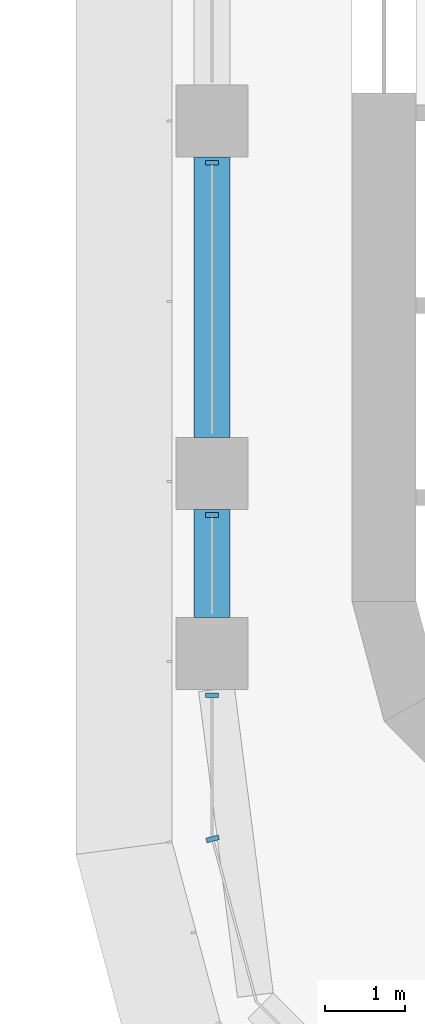
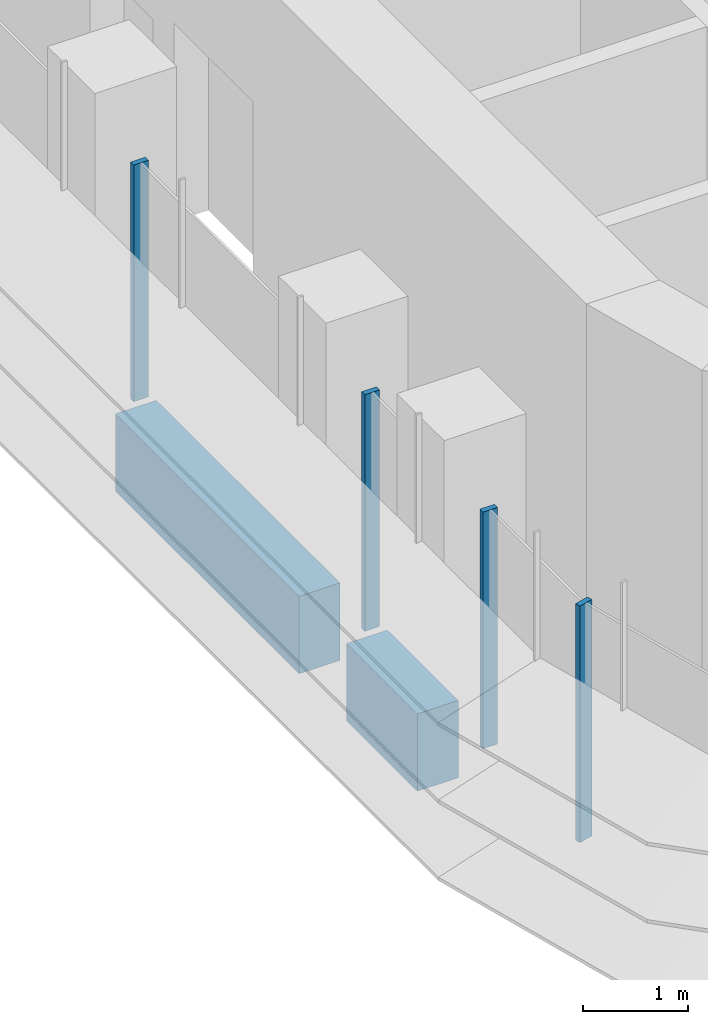
# One storey, part 2 of 22: 4 members, 2 beams, 2 elements without a shape of their own.
"""IFC4 building model written with IfcOpenShell, lengths in metres."""

from ifc_helpers import new_model, si_unit, direction, frame, origin, origin_2d, place, context, subcontext, project, spatial, polyline, rectangle, outline, extrude, source, transform, mapped, material, material_profile, profile_set, type_object, element, aggregate, save


model = new_model("IFC4")

# Units and contexts
model_context = context("Model", 3, precision=1e-05, world=origin(), true_north=direction((0.0, 1.0)))
body_context = subcontext(model_context, "Body", "Model", "MODEL_VIEW")
ifc_project = project(units=[si_unit("LENGTHUNIT", "METRE"), si_unit("AREAUNIT", "SQUARE_METRE"), si_unit("VOLUMEUNIT", "CUBIC_METRE"), si_unit("PLANEANGLEUNIT", "RADIAN"), si_unit("MASSUNIT", "GRAM", prefix="KILO")], contexts=[model_context])

# Site, building, storey
site_placement = place(None, origin())
site = spatial("IfcSite", under=ifc_project, at=site_placement, CompositionType="ELEMENT")
building_placement = place(site_placement, origin())
building = spatial("IfcBuilding", under=site, at=building_placement, Name="Zarbagh Exchange Tower", CompositionType="ELEMENT")
storey_placement = place(building_placement, frame((0.0, 0.0, 124.60009765625)))
storey = spatial("IfcBuildingStorey", under=building, at=storey_placement, Name="L29", CompositionType="ELEMENT", Elevation=124.60009765625)

# Beams
ifc_material_1 = material(Name="Concrete C60/75", Category="concrete")
ifc_material_profile = material_profile(ifc_material_1, rectangle(XDim=0.449951171875, YDim=0.89990234375, at=origin_2d()), Name="RC spandrel beam 450 x 900 C60/75")
ifc_profile_set = profile_set([ifc_material_profile], Name="Concrete C60/75")
beam_type = type_object("IfcBeamType", Name="RC spandrel beam 450 x 900 C60/75", PredefinedType="SPANDREL", material=ifc_profile_set)
beam_1_placement = place(storey_placement, frame((-6.25, -26.449951171875, -0.60009765625), z_axis=(0.0, 1.0, 0.0), x_axis=(-1.0, 0.0, 0.0)))
element("IfcBeam", 1, at=beam_1_placement, inside=storey, type_object=beam_type, Name="RC spandrel beam", PredefinedType="SPANDREL", context=body_context, shape_type="SweptSolid", body=[
    extrude(rectangle(XDim=0.449951171875, YDim=0.89990234375, at=origin_2d()), origin(), (0.0, 0.0, 1.0), 1.349853515625),
])
beam_2_placement = place(storey_placement, frame((-6.25, -24.199951171875, -0.60009765625), z_axis=(0.0, 1.0, 0.0), x_axis=(-1.0, 0.0, 0.0)))
element("IfcBeam", 2, at=beam_2_placement, inside=storey, type_object=beam_type, Name="RC spandrel beam", PredefinedType="SPANDREL", context=body_context, shape_type="SweptSolid", body=[
    extrude(rectangle(XDim=0.449951171875, YDim=0.89990234375, at=origin_2d()), origin(), (0.0, 0.0, 1.0), 3.5),
])

# Curtain wall, members
ifc_material_2 = material(Name="Anodised aluminium frame and glazing", Category="aluminium")
curtain_wall_type = type_object("IfcCurtainWallType", Name="CWA Ribbon glazing, lower zones", PredefinedType="NOTDEFINED", material=ifc_material_2)
curtain_wall_1_placement = place(storey_placement, origin())
curtain_wall_1 = element("IfcCurtainWall", 3, at=curtain_wall_1_placement, inside=storey, type_object=curtain_wall_type, Name="CWA44 curtain wall", PredefinedType="NOTDEFINED")
ifc_material_3 = material(Name="Anodised aluminium frame", Category="aluminium")
member_type = type_object("IfcMemberType", Name="MUA Mullion, anodised aluminium frame", PredefinedType="MULLION", material=ifc_material_3)
shared_shape = source(origin(), body_context, "Body", "SweptSolid", [
    extrude(outline(polyline([(0.0, -0.080078125), (0.06005859375, -0.080078125), (0.06005859375, 0.080078125), (0.0, 0.080078125), (0.0, -0.080078125)])), origin(), (0.0, 0.0, 1.0), 2.75),
])
placement = place(storey_placement, origin())
member_1 = element("IfcMember", 4, at=placement, type_object=member_type, Name="CWA44 mullion 3.1", PredefinedType="MULLION", context=body_context, shape_type="MappedRepresentation", body=[
    mapped(shared_shape, transform((-6.25, -20.739990234375, 0.0), x_axis=(0.0, -1.0, 0.0), y_axis=(1.0, 0.0, 0.0), z_axis=(0.0, 0.0, 1.0))),
])
member_2 = element("IfcMember", 5, at=placement, type_object=member_type, Name="CWA44 mullion 4.1", PredefinedType="MULLION", context=body_context, shape_type="MappedRepresentation", body=[
    mapped(shared_shape, transform((-6.25, -25.14013671875, 0.0), x_axis=(0.0, -1.0, 0.0), y_axis=(1.0, 0.0, 0.0), z_axis=(0.0, 0.0, 1.0))),
])
member_3 = element("IfcMember", 6, at=placement, type_object=member_type, Name="CWA44 mullion 5.1", PredefinedType="MULLION", context=body_context, shape_type="MappedRepresentation", body=[
    mapped(shared_shape, transform((-6.25, -27.39013671875, 0.0), x_axis=(0.0, -1.0, 0.0), y_axis=(1.0, 0.0, 0.0), z_axis=(0.0, 0.0, 1.0))),
])
aggregate(curtain_wall_1, [member_1, member_2, member_3])

# Curtain wall, member
curtain_wall_2_placement = place(storey_placement, origin())
curtain_wall_2 = element("IfcCurtainWall", 7, at=curtain_wall_2_placement, inside=storey, type_object=curtain_wall_type, Name="CWA45 curtain wall", PredefinedType="NOTDEFINED")
member_4 = element("IfcMember", 8, at=placement, type_object=member_type, Name="CWA45 mullion 1.1", PredefinedType="MULLION", context=body_context, shape_type="MappedRepresentation", body=[
    mapped(shared_shape, transform((-6.25, -29.18408203125, 0.0), x_axis=(0.258824779902, -0.965924289636, 0.0), y_axis=(0.965924289636, 0.258824779902, 0.0), z_axis=(0.0, 0.0, 1.0))),
])
aggregate(curtain_wall_2, [member_4])

save(model, "model.ifc")
